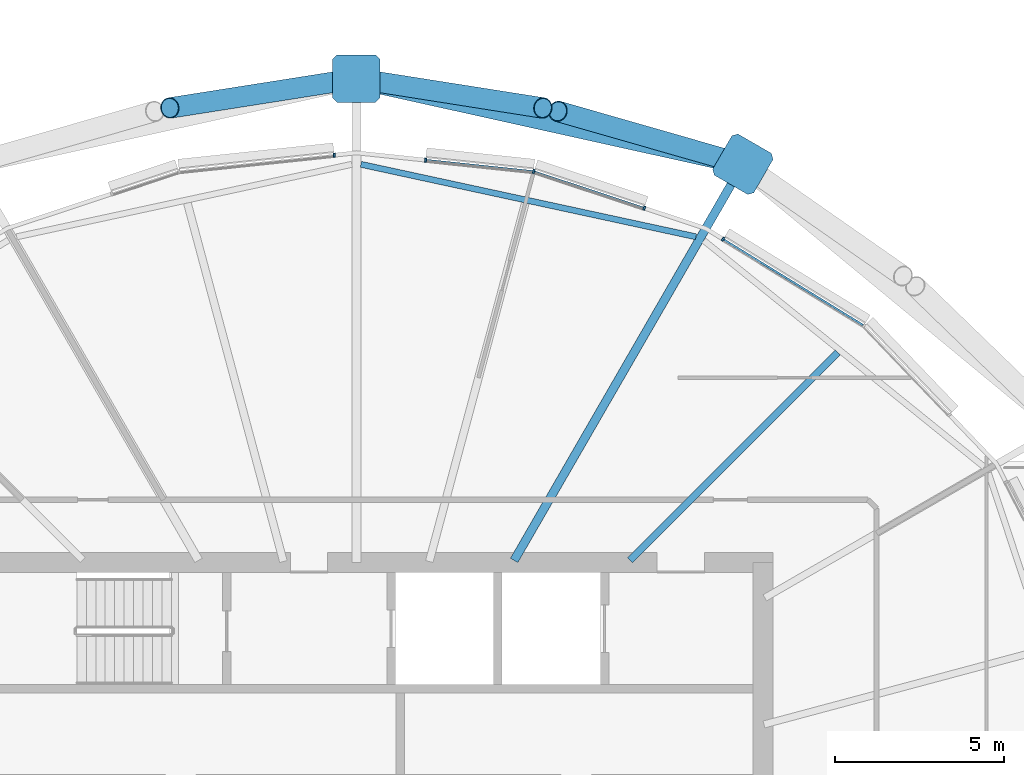
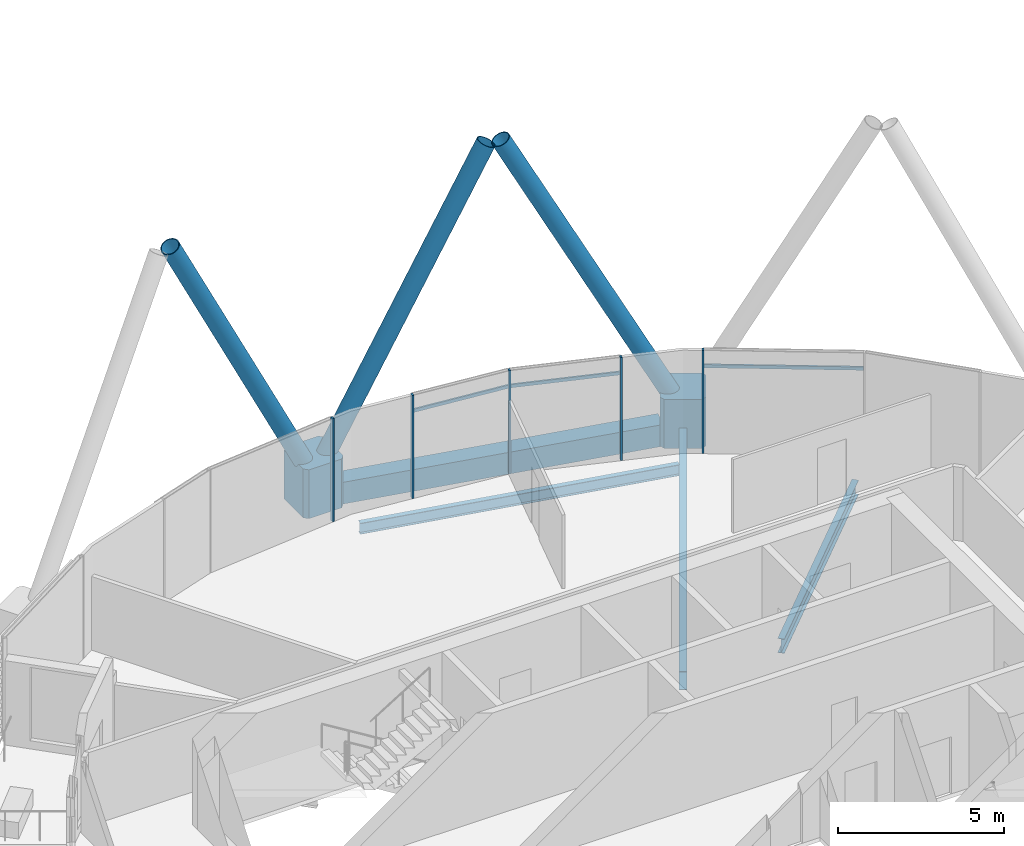
# One storey, part 11 of 38: 13 members, 4 beams, 1 element without a shape of its own.
"""IFC4 building model written with IfcOpenShell, lengths in metres."""

from ifc_helpers import new_model, si_unit, direction, frame, origin, origin_2d, place, context, subcontext, project, spatial, polyline, rectangle, hollow_rectangle, hollow_circle, i_section, outline, extrude, material, material_profile, profile_set, type_object, element, aggregate, save


model = new_model("IFC4")

# Units and contexts
model_context = context("Model", 3, precision=1e-05, world=origin(), true_north=direction((0.0, 1.0)))
body_context = subcontext(model_context, "Body", "Model", "MODEL_VIEW")
ifc_project = project(units=[si_unit("LENGTHUNIT", "METRE"), si_unit("AREAUNIT", "SQUARE_METRE"), si_unit("VOLUMEUNIT", "CUBIC_METRE"), si_unit("PLANEANGLEUNIT", "RADIAN"), si_unit("MASSUNIT", "GRAM", prefix="KILO")], contexts=[model_context])

# Site, building, storey
site_placement = place(None, origin())
site = spatial("IfcSite", under=ifc_project, at=site_placement, CompositionType="ELEMENT")
building_placement = place(site_placement, origin())
building = spatial("IfcBuilding", under=site, at=building_placement, Name="Rimbun Link Towers", CompositionType="ELEMENT")
storey_placement = place(building_placement, frame((0.0, 0.0, 158.89990234375)))
storey = spatial("IfcBuildingStorey", under=building, at=storey_placement, Name="L38", CompositionType="ELEMENT", Elevation=158.89990234375)

# Curtain wall, members
ifc_material_1 = material(Name="Aluminium 6063-T6 and low-iron glass", Category="aluminium")
curtain_wall_type = type_object("IfcCurtainWallType", Name="CW1-Z3 unitised vision wall (zone 3)", PredefinedType="NOTDEFINED", material=ifc_material_1)
curtain_wall_placement = place(storey_placement, origin())
curtain_wall = element("IfcCurtainWall", 1, at=curtain_wall_placement, inside=storey, type_object=curtain_wall_type, Name="CW1 L38 T1", PredefinedType="NOTDEFINED")
ifc_material_2 = material(Name="Aluminium 6063-T6", Category="aluminium")
ifc_material_profile_1 = material_profile(ifc_material_2, rectangle(XDim=0.1201171875, YDim=0.06005859375, at=origin_2d()), Name="MULLION 60X120")
ifc_profile_set_1 = profile_set([ifc_material_profile_1], Name="Aluminium 6063-T6")
member_type_1 = type_object("IfcMemberType", Name="CW1 mullion 60X120", PredefinedType="MULLION", material=ifc_profile_set_1)
member_1_placement = place(storey_placement, frame((-20.92724609375, 17.542724609375, 0.0), z_axis=(0.0, 0.0, 1.0), x_axis=(0.523249760653, 0.85217937547, 0.0)))
member_1 = element("IfcMember", 2, at=member_1_placement, type_object=member_type_1, Name="CW1 mullion", PredefinedType="MULLION", context=body_context, shape_type="SweptSolid", body=[
    extrude(rectangle(XDim=0.1201171875, YDim=0.06005859375, at=origin_2d()), origin(), (0.0, 0.0, 1.0), 3.800048828125),
])
member_2_placement = place(storey_placement, frame((-26.51708984375, 19.541015625, 0.0), z_axis=(0.0, 0.0, 1.0), x_axis=(0.210865888506, 0.977515000941, 0.0)))
member_2 = element("IfcMember", 3, at=member_2_placement, type_object=member_type_1, Name="CW1 mullion", PredefinedType="MULLION", context=body_context, shape_type="SweptSolid", body=[
    extrude(rectangle(XDim=0.1201171875, YDim=0.06005859375, at=origin_2d()), origin(), (0.0, 0.0, 1.0), 3.800048828125),
])
member_3_placement = place(storey_placement, frame((-23.254638671875, 18.460205078125, 0.0), z_axis=(0.0, 0.0, 1.0), x_axis=(0.314555722988, 0.949239009489, 0.0)))
member_3 = element("IfcMember", 4, at=member_3_placement, type_object=member_type_1, Name="CW1 mullion", PredefinedType="MULLION", context=body_context, shape_type="SweptSolid", body=[
    extrude(rectangle(XDim=0.1201171875, YDim=0.06005859375, at=origin_2d()), origin(), (0.0, 0.0, 1.0), 3.800048828125),
])
member_4_placement = place(storey_placement, frame((-29.705078125, 19.876953125, 0.0), z_axis=(0.0, 0.0, 1.0), x_axis=(0.104740318219, 0.994499605701, 0.0)))
member_4 = element("IfcMember", 5, at=member_4_placement, type_object=member_type_1, Name="CW1 mullion", PredefinedType="MULLION", context=body_context, shape_type="SweptSolid", body=[
    extrude(rectangle(XDim=0.1201171875, YDim=0.06005859375, at=origin_2d()), origin(), (0.0, 0.0, 1.0), 3.800048828125),
])
member_5_placement = place(storey_placement, frame((-32.402587890625, 20.023681640625, 0.0), z_axis=(0.0, 0.0, 1.0), x_axis=(-0.104740318219, 0.994499605701, 0.0)))
member_5 = element("IfcMember", 6, at=member_5_placement, type_object=member_type_1, Name="CW1 mullion", PredefinedType="MULLION", context=body_context, shape_type="SweptSolid", body=[
    extrude(rectangle(XDim=0.1201171875, YDim=0.06005859375, at=origin_2d()), origin(), (0.0, 0.0, 1.0), 3.800048828125),
])
ifc_material_3 = material(Name="Aluminium 6063-T6", Category="aluminium")
ifc_material_profile_2 = material_profile(ifc_material_3, rectangle(XDim=0.06005859375, YDim=0.1201171875, at=origin_2d()), Name="TRANSOM 60X120")
ifc_profile_set_2 = profile_set([ifc_material_profile_2], Name="Aluminium 6063-T6")
member_type_2 = type_object("IfcMemberType", Name="CW1 transom 60X120", PredefinedType="USERDEFINED", material=ifc_profile_set_2)
member_6_placement = place(storey_placement, frame((-20.902587890625, 17.525390625, 3.2001953125), z_axis=(0.852173607466, -0.523259154471, 0.0), x_axis=(0.523259154471, 0.852173607466, 0.0)))
member_6 = element("IfcMember", 7, at=member_6_placement, type_object=member_type_2, Name="CW1 transom", ObjectType="TRANSOM", PredefinedType="USERDEFINED", context=body_context, shape_type="SweptSolid", body=[
    extrude(rectangle(XDim=0.06005859375, YDim=0.1201171875, at=origin_2d()), origin(), (0.0, 0.0, 1.0), 4.811279296875),
])
member_7_placement = place(storey_placement, frame((-26.48291015625, 19.52783203125, 3.2001953125), z_axis=(0.949246811547, -0.314532177636, 0.0), x_axis=(0.314532177636, 0.949246811547, 0.0)))
member_7 = element("IfcMember", 8, at=member_7_placement, type_object=member_type_2, Name="CW1 transom", ObjectType="TRANSOM", PredefinedType="USERDEFINED", context=body_context, shape_type="SweptSolid", body=[
    extrude(rectangle(XDim=0.06005859375, YDim=0.1201171875, at=origin_2d()), origin(), (0.0, 0.0, 1.0), 3.370361328125),
])
member_8_placement = place(storey_placement, frame((-29.67529296875, 19.871826171875, 3.2001953125), z_axis=(0.994505452921, -0.104684784518, 0.0), x_axis=(0.104684784518, 0.994505452921, 0.0)))
member_8 = element("IfcMember", 9, at=member_8_placement, type_object=member_type_2, Name="CW1 transom", ObjectType="TRANSOM", PredefinedType="USERDEFINED", context=body_context, shape_type="SweptSolid", body=[
    extrude(rectangle(XDim=0.06005859375, YDim=0.1201171875, at=origin_2d()), origin(), (0.0, 0.0, 1.0), 3.13916015625),
])
aggregate(curtain_wall, [member_1, member_2, member_3, member_4, member_5, member_6, member_7, member_8])

# Members
ifc_material_4 = material(Name="Steel S355J2H", Category="steel")
ifc_material_profile_3 = material_profile(ifc_material_4, hollow_circle(Radius=0.3046875, WallThickness=0.02490234375, at=origin_2d()), Name="Diagrid diagonal CHS 610x25")
ifc_profile_set_3 = profile_set([ifc_material_profile_3], Name="Steel S355J2H")
member_type_3 = type_object("IfcMemberType", Name="Diagrid diagonal CHS 610x25", PredefinedType="BRACE", material=ifc_profile_set_3)
member_9_placement = place(storey_placement, frame((-20.56591796875, 19.8173828125, 0.444091796875), z_axis=(-0.442152021771, 0.126644382728, 0.887954272453), x_axis=(-0.275354732768, -0.961342691834, 0.0)))
element("IfcMember", 10, at=member_9_placement, inside=storey, type_object=member_type_3, Name="Diagrid diagonal T1 L38-L41 04b", PredefinedType="BRACE", context=body_context, shape_type="SweptSolid", body=[
    extrude(hollow_circle(Radius=0.3046875, WallThickness=0.02490234375, at=origin_2d()), origin(), (0.0, 0.0, 1.0), 11.83837890625),
])
for number, where, z_axis, x_axis, name in (
    (11, (-31.526123046875, 22.246826171875, 0.44580078125), (0.447912954276, -0.070528016378, 0.8912910772), (0.155542790595, 0.987829155418, 0.0), "Diagrid diagonal T1 L38-L41 06a"),
    (12, (-31.973876953125, 22.246826171875, 0.44580078125), (-0.447912954276, -0.070528016378, 0.8912910772), (0.155542790595, -0.987829155418, 0.0), "Diagrid diagonal T1 L38-L41 06b"),
):
    element("IfcMember", number, at=place(storey_placement, frame(where, z_axis=z_axis, x_axis=x_axis)), inside=storey, type_object=member_type_3, Name=name, PredefinedType="BRACE", context=body_context, shape_type="SweptSolid", body=[
        extrude(hollow_circle(Radius=0.3046875, WallThickness=0.02490234375, at=origin_2d()), origin(), (0.0, 0.0, 1.0), 11.790283203125),
    ])
ifc_material_5 = material(Name="Cast steel G20Mn5+QT, Rp0.2 300 MPa", Category="steel")
ifc_material_profile_4 = material_profile(ifc_material_5, outline(polyline([(0.699951171875, -0.570068359375), (0.699951171875, 0.570068359375), (0.570068359375, 0.699951171875), (-0.570068359375, 0.699951171875), (-0.699951171875, 0.570068359375), (-0.699951171875, -0.570068359375), (-0.570068359375, -0.699951171875), (0.570068359375, -0.699951171875), (0.699951171875, -0.570068359375)])), Name="NODE 1400x1400")
ifc_profile_set_4 = profile_set([ifc_material_profile_4], Name="Cast steel G20Mn5+QT, Rp0.2 300 MPa")
member_type_4 = type_object("IfcMemberType", Name="Diagrid node cast 1400", PredefinedType="USERDEFINED", material=ifc_profile_set_4)
for number, where, z_axis, x_axis, name in (
    (13, (-20.344970703125, 19.754150390625, -0.89990234375), (0.0, 0.0, 1.0), (0.5, 0.866025403784, 0.0), "Diagrid node L38 04"),
    (14, (-31.75, 22.281982421875, -0.89990234375), (0.0, 0.0, 1.0), (0.0, 1.0, 0.0), "Diagrid node L38 06"),
):
    element("IfcMember", number, at=place(storey_placement, frame(where, z_axis=z_axis, x_axis=x_axis)), inside=storey, type_object=member_type_4, Name=name, ObjectType="Diagrid node", PredefinedType="USERDEFINED", context=body_context, shape_type="SweptSolid", body=[
        extrude(outline(polyline([(0.699951171875, -0.570068359375), (0.699951171875, 0.570068359375), (0.570068359375, 0.699951171875), (-0.570068359375, 0.699951171875), (-0.699951171875, 0.570068359375), (-0.699951171875, -0.570068359375), (-0.570068359375, -0.699951171875), (0.570068359375, -0.699951171875), (0.699951171875, -0.570068359375)])), origin(), (0.0, 0.0, 1.0), 1.800048828125),
    ])

# Beams
ifc_material_6 = material(Name="Steel S355J2", Category="steel")
ifc_material_profile_5 = material_profile(ifc_material_6, hollow_rectangle(XDim=0.60009765625, YDim=0.800048828125, WallThickness=0.0400390625, at=origin_2d()), Name="Exoskeleton ring girder BOX 600x800x40")
ifc_profile_set_5 = profile_set([ifc_material_profile_5], Name="Steel S355J2")
beam_type_1 = type_object("IfcBeamType", Name="Exoskeleton ring girder BOX 600x800x40", PredefinedType="BEAM", material=ifc_profile_set_5)
beam_1_placement = place(storey_placement, frame((-21.0283203125, 19.905517578125, -0.559814453125), z_axis=(-0.976303128555, 0.216407488719, 0.0), x_axis=(-0.216407488719, -0.976303128555, 0.0)))
element("IfcBeam", 15, at=beam_1_placement, inside=storey, type_object=beam_type_1, Name="Exoskeleton ring girder L38 02", PredefinedType="BEAM", context=body_context, shape_type="SweptSolid", body=[
    extrude(hollow_rectangle(XDim=0.60009765625, YDim=0.800048828125, WallThickness=0.0400390625, at=origin_2d()), origin(), (0.0, 0.0, 1.0), 10.281982421875),
])
ifc_material_7 = material(Name="Steel S355J2", Category="steel")
ifc_material_profile_6 = material_profile(ifc_material_7, i_section(OverallWidth=0.177978515625, OverallDepth=0.406494140625, WebThickness=0.0078125, FlangeThickness=0.0126953125, at=origin_2d()), Name="UB 406x178x60")
ifc_profile_set_6 = profile_set([ifc_material_profile_6], Name="Steel S355J2")
beam_type_2 = type_object("IfcBeamType", Name="UB 406x178x60", PredefinedType="BEAM", material=ifc_profile_set_6)
beam_2_placement = place(storey_placement, frame((-21.728759765625, 17.61279296875, -0.35302734375), z_axis=(-0.97738977143, 0.211445583315, 0.0), x_axis=(-0.211445583315, -0.97738977143, 0.0)))
element("IfcBeam", 16, at=beam_2_placement, inside=storey, type_object=beam_type_2, Name="Edge beam T1 L38 04-06", PredefinedType="BEAM", context=body_context, shape_type="SweptSolid", body=[
    extrude(i_section(OverallWidth=0.177978515625, OverallDepth=0.406494140625, WebThickness=0.0078125, FlangeThickness=0.0126953125, at=origin_2d()), origin(), (0.0, 0.0, 1.0), 10.11572265625),
])
ifc_material_8 = material(Name="Steel S355J2", Category="steel")
ifc_material_profile_7 = material_profile(ifc_material_8, i_section(OverallWidth=0.209228515625, OverallDepth=0.533203125, WebThickness=0.010009765625, FlangeThickness=0.015625, at=origin_2d()), Name="UB 533x210x92")
ifc_profile_set_7 = profile_set([ifc_material_profile_7], Name="Steel S355J2")
beam_type_3 = type_object("IfcBeamType", Name="UB 533x210x92", PredefinedType="BEAM", material=ifc_profile_set_7)
beam_3_placement = place(storey_placement, frame((-23.67529296875, 8.07470703125, -0.41650390625), z_axis=(0.707106781187, 0.707106781187, 0.0), x_axis=(-0.707106781187, 0.707106781187, 0.0)))
element("IfcBeam", 17, at=beam_3_placement, inside=storey, type_object=beam_type_3, Name="Radial beam T1 L38 03", PredefinedType="BEAM", context=body_context, shape_type="SweptSolid", body=[
    extrude(i_section(OverallWidth=0.209228515625, OverallDepth=0.533203125, WebThickness=0.010009765625, FlangeThickness=0.015625, at=origin_2d()), origin(), (0.0, 0.0, 1.0), 8.662841796875),
])
ifc_material_9 = material(Name="Steel S355J2", Category="steel")
ifc_material_profile_8 = material_profile(ifc_material_9, i_section(OverallWidth=0.253662109375, OverallDepth=0.68359375, WebThickness=0.012451171875, FlangeThickness=0.01904296875, at=origin_2d()), Name="UB 686x254x140")
ifc_profile_set_8 = profile_set([ifc_material_profile_8], Name="Steel S355J2")
beam_type_4 = type_object("IfcBeamType", Name="UB 686x254x140", PredefinedType="BEAM", material=ifc_profile_set_8)
beam_4_placement = place(storey_placement, frame((-27.093994140625, 8.064208984375, -0.49169921875), z_axis=(0.499993432475, 0.866029195513, 0.0), x_axis=(-0.866029195513, 0.499993432475, 0.0)))
element("IfcBeam", 18, at=beam_4_placement, inside=storey, type_object=beam_type_4, Name="Radial beam T1 L38 04", PredefinedType="BEAM", context=body_context, shape_type="SweptSolid", body=[
    extrude(i_section(OverallWidth=0.253662109375, OverallDepth=0.68359375, WebThickness=0.012451171875, FlangeThickness=0.01904296875, at=origin_2d()), origin(), (0.0, 0.0, 1.0), 12.998291015625),
])

save(model, "model.ifc")
